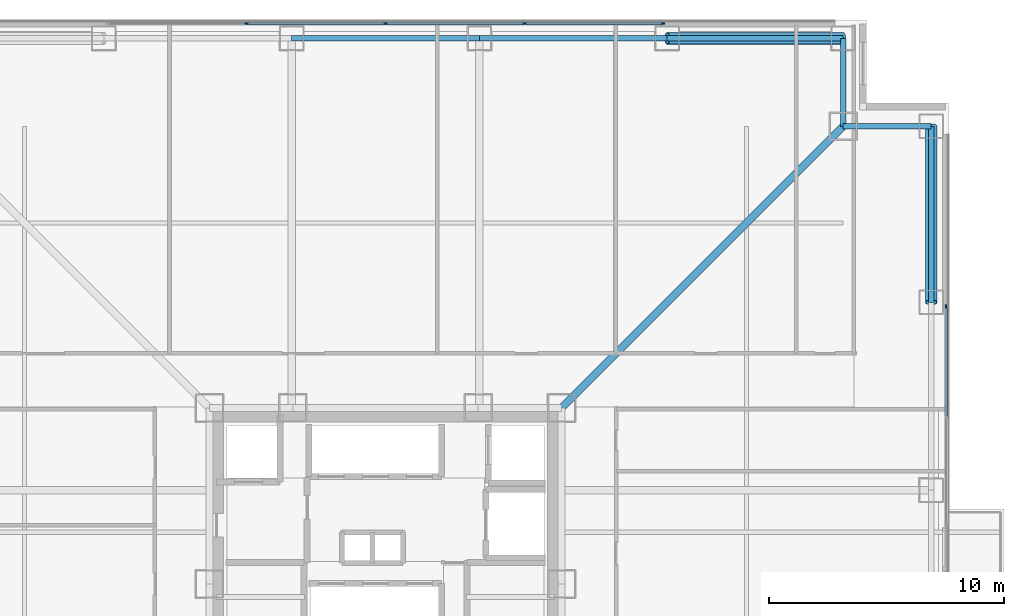
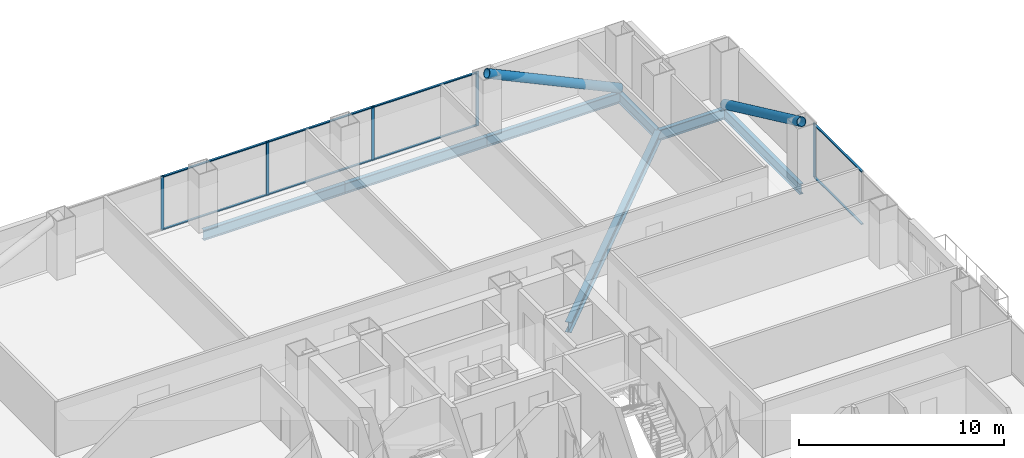
# One storey, part 13 of 20: 15 members, 7 beams, 2 elements without a shape of their own.
"""IFC4 building model written with IfcOpenShell, lengths in metres."""

from ifc_helpers import new_model, si_unit, direction, frame, origin, origin_2d, place, context, subcontext, project, spatial, rectangle, hollow_circle, i_section, extrude, material, layer, layer_set, material_profile, profile_set, type_object, element, aggregate, save


model = new_model("IFC4")

# Units and contexts
model_context = context("Model", 3, precision=1e-05, world=origin(), true_north=direction((0.0, 1.0)))
body_context = subcontext(model_context, "Body", "Model", "MODEL_VIEW")
ifc_project = project(units=[si_unit("LENGTHUNIT", "METRE"), si_unit("AREAUNIT", "SQUARE_METRE"), si_unit("VOLUMEUNIT", "CUBIC_METRE"), si_unit("PLANEANGLEUNIT", "RADIAN"), si_unit("MASSUNIT", "GRAM", prefix="KILO")], contexts=[model_context])

# Site, building, storey
site_placement = place(None, origin())
site = spatial("IfcSite", under=ifc_project, at=site_placement, CompositionType="ELEMENT")
building_placement = place(site_placement, origin())
building = spatial("IfcBuilding", under=site, at=building_placement, Name="Trevonay Congress Spire", CompositionType="ELEMENT")
storey_placement = place(building_placement, frame((0.0, 0.0, 76.0)))
storey = spatial("IfcBuildingStorey", under=building, at=storey_placement, Name="L19", CompositionType="ELEMENT", Elevation=76.0)

# Beams
ifc_material_1 = material(Name="Steel ASTM A572 Grade 50", Category="steel")
ifc_material_profile_1 = material_profile(ifc_material_1, i_section(OverallWidth=0.324951171875, OverallDepth=0.615966796875, WebThickness=0.013916015625, FlangeThickness=0.021484375, FilletRadius=0.01806640625, at=origin_2d()), Name="W610x174")
ifc_profile_set_1 = profile_set([ifc_material_profile_1], Name="Steel ASTM A572 Grade 50")
beam_type_1 = type_object("IfcBeamType", Name="BM-GIRD-W610X174", PredefinedType="BEAM", material=ifc_profile_set_1)
beam_placement = place(storey_placement, frame((7.5, 7.5, -0.55810546875), z_axis=(0.707106781187, 0.707106781187, 0.0), x_axis=(-0.707106781187, 0.707106781187, 0.0)))
element("IfcBeam", 1, at=beam_placement, inside=storey, type_object=beam_type_1, Name="L19 structural beam BM-L19-CDNE", PredefinedType="BEAM", context=body_context, shape_type="SweptSolid", body=[
    extrude(i_section(OverallWidth=0.324951171875, OverallDepth=0.615966796875, WebThickness=0.013916015625, FlangeThickness=0.021484375, FilletRadius=0.01806640625, at=origin_2d()), origin(), (0.0, 0.0, 1.0), 16.970458984375),
])
ifc_material_profile_2 = material_profile(ifc_material_1, i_section(OverallWidth=0.22998046875, OverallDepth=0.616943359375, WebThickness=0.01318359375, FlangeThickness=0.022216796875, FilletRadius=0.01611328125, at=origin_2d()), Name="W610x140")
ifc_profile_set_2 = profile_set([ifc_material_profile_2], Name="Steel ASTM A572 Grade 50")
beam_type_2 = type_object("IfcBeamType", Name="BM-RING-W610X140", PredefinedType="BEAM", material=ifc_profile_set_2)
for number, where, z_axis, x_axis, name in (
    (2, (-4.0, 23.25, -0.55859375), (1.0, 0.0, 0.0), (0.0, 1.0, 0.0), "L19 structural beam BM-L19-PN3"),
    (3, (4.0, 23.25, -0.55859375), (1.0, 0.0, 0.0), (0.0, 1.0, 0.0), "L19 structural beam BM-L19-PN4"),
):
    element("IfcBeam", number, at=place(storey_placement, frame(where, z_axis=z_axis, x_axis=x_axis)), inside=storey, type_object=beam_type_2, Name=name, PredefinedType="BEAM", context=body_context, shape_type="SweptSolid", body=[
        extrude(i_section(OverallWidth=0.22998046875, OverallDepth=0.616943359375, WebThickness=0.01318359375, FlangeThickness=0.022216796875, FilletRadius=0.01611328125, at=origin_2d()), origin(), (0.0, 0.0, 1.0), 8.0),
    ])
for number, where, z_axis, x_axis, name in (
    (4, (12.0, 23.25, -0.55859375), (1.0, 0.0, 0.0), (0.0, 1.0, 0.0), "L19 structural beam BM-L19-PN5"),
    (5, (23.25, 12.0, -0.55859375), (0.0, 1.0, 0.0), (-1.0, 0.0, 0.0), "L19 structural beam BM-L19-PE5"),
):
    element("IfcBeam", number, at=place(storey_placement, frame(where, z_axis=z_axis, x_axis=x_axis)), inside=storey, type_object=beam_type_2, Name=name, PredefinedType="BEAM", context=body_context, shape_type="SweptSolid", body=[
        extrude(i_section(OverallWidth=0.22998046875, OverallDepth=0.616943359375, WebThickness=0.01318359375, FlangeThickness=0.022216796875, FilletRadius=0.01611328125, at=origin_2d()), origin(), (0.0, 0.0, 1.0), 7.5),
    ])
for number, where, z_axis, x_axis, name in (
    (6, (19.5, 23.25, -0.55859375), (0.0, -1.0, 0.0), (1.0, 0.0, 0.0), "L19 structural beam BM-L19-N1NE"),
    (7, (23.25, 19.5, -0.55859375), (-1.0, 0.0, 0.0), (0.0, -1.0, 0.0), "L19 structural beam BM-L19-N2NE"),
):
    element("IfcBeam", number, at=place(storey_placement, frame(where, z_axis=z_axis, x_axis=x_axis)), inside=storey, type_object=beam_type_2, Name=name, PredefinedType="BEAM", context=body_context, shape_type="SweptSolid", body=[
        extrude(i_section(OverallWidth=0.22998046875, OverallDepth=0.616943359375, WebThickness=0.01318359375, FlangeThickness=0.022216796875, FilletRadius=0.01611328125, at=origin_2d()), origin(), (0.0, 0.0, 1.0), 3.75),
    ])

# Curtain wall, members
ifc_material_2 = material(Name="Pale Anodised Aluminium EN AW-6063-T6", Category="aluminium")
ifc_layer = layer(ifc_material_2, 0.179931640625, Name="Pale Anodised Aluminium EN AW-6063-T6")
ifc_layer_set = layer_set([ifc_layer], Name="Pale Anodised Aluminium EN AW-6063-T6")
curtain_wall_type = type_object("IfcCurtainWallType", Name="CW-SYS02-HOTEL-PALE-METAL", PredefinedType="NOTDEFINED", material=ifc_layer_set)
curtain_wall_1_placement = place(storey_placement, origin())
curtain_wall_1 = element("IfcCurtainWall", 8, at=curtain_wall_1_placement, inside=storey, type_object=curtain_wall_type, Name="L19 N unitised curtain wall", PredefinedType="NOTDEFINED")
ifc_material_profile_3 = material_profile(ifc_material_2, rectangle(XDim=0.06005859375, YDim=0.159912109375, at=origin_2d()), Name="CW-MULLION-160-ALUMINIUM")
ifc_profile_set_3 = profile_set([ifc_material_profile_3], Name="Pale Anodised Aluminium EN AW-6063-T6")
member_type_1 = type_object("IfcMemberType", Name="CW-MULLION-160-ALUMINIUM", PredefinedType="MULLION", material=ifc_profile_set_3)
member_1_placement = place(storey_placement, frame((-5.925048828125, 23.8798828125, 0.0), z_axis=(0.0, 0.0, 1.0), x_axis=(0.0, 1.0, 0.0)))
member_1 = element("IfcMember", 9, at=member_1_placement, type_object=member_type_1, Name="CW02 mullion 2", PredefinedType="MULLION", context=body_context, shape_type="SweptSolid", body=[
    extrude(rectangle(XDim=0.06005859375, YDim=0.159912109375, at=origin_2d()), origin(), (0.0, 0.0, 1.0), 3.25),
])
member_2_placement = place(storey_placement, frame((0.0, 23.8798828125, 0.0), z_axis=(0.0, 0.0, 1.0), x_axis=(0.0, 1.0, 0.0)))
member_2 = element("IfcMember", 10, at=member_2_placement, type_object=member_type_1, Name="CW02 mullion 3", PredefinedType="MULLION", context=body_context, shape_type="SweptSolid", body=[
    extrude(rectangle(XDim=0.06005859375, YDim=0.159912109375, at=origin_2d()), origin(), (0.0, 0.0, 1.0), 3.25),
])
member_3_placement = place(storey_placement, frame((5.925048828125, 23.8798828125, 0.0), z_axis=(0.0, 0.0, 1.0), x_axis=(0.0, 1.0, 0.0)))
member_3 = element("IfcMember", 11, at=member_3_placement, type_object=member_type_1, Name="CW02 mullion 4", PredefinedType="MULLION", context=body_context, shape_type="SweptSolid", body=[
    extrude(rectangle(XDim=0.06005859375, YDim=0.159912109375, at=origin_2d()), origin(), (0.0, 0.0, 1.0), 3.25),
])
member_4_placement = place(storey_placement, frame((11.820068359375, 23.8798828125, 0.0), z_axis=(0.0, 0.0, 1.0), x_axis=(0.0, 1.0, 0.0)))
member_4 = element("IfcMember", 12, at=member_4_placement, type_object=member_type_1, Name="CW02 mullion 5", PredefinedType="MULLION", context=body_context, shape_type="SweptSolid", body=[
    extrude(rectangle(XDim=0.06005859375, YDim=0.159912109375, at=origin_2d()), origin(), (0.0, 0.0, 1.0), 3.25),
])

# Curtain wall, member
curtain_wall_2_placement = place(storey_placement, origin())
curtain_wall_2 = element("IfcCurtainWall", 13, at=curtain_wall_2_placement, inside=storey, type_object=curtain_wall_type, Name="L19 EB unitised curtain wall", PredefinedType="NOTDEFINED")
member_5_placement = place(storey_placement, frame((23.8798828125, 11.820068359375, 0.0), z_axis=(0.0, 0.0, 1.0), x_axis=(-1.0, 0.0, 0.0)))
member_5 = element("IfcMember", 14, at=member_5_placement, type_object=member_type_1, Name="CW02 mullion 3", PredefinedType="MULLION", context=body_context, shape_type="SweptSolid", body=[
    extrude(rectangle(XDim=0.06005859375, YDim=0.159912109375, at=origin_2d()), origin(), (0.0, 0.0, 1.0), 3.25),
])

# Member
ifc_material_profile_4 = material_profile(ifc_material_2, rectangle(XDim=0.1201171875, YDim=0.06005859375, at=origin_2d()), Name="CW-TRANSOM-120-ALUMINIUM")
ifc_profile_set_4 = profile_set([ifc_material_profile_4], Name="Pale Anodised Aluminium EN AW-6063-T6")
member_type_2 = type_object("IfcMemberType", Name="CW-TRANSOM-120-ALUMINIUM", PredefinedType="USERDEFINED", material=ifc_profile_set_4)
member_6_placement = place(storey_placement, frame((-5.89501953125, 23.8798828125, 0.06005859375), z_axis=(1.0, 0.0, 0.0), x_axis=(0.0, 1.0, 0.0)))
member_6 = element("IfcMember", 15, at=member_6_placement, type_object=member_type_2, Name="CW02 transom 2.1", ObjectType="TRANSOM", PredefinedType="USERDEFINED", context=body_context, shape_type="SweptSolid", body=[
    extrude(rectangle(XDim=0.1201171875, YDim=0.06005859375, at=origin_2d()), origin(), (0.0, 0.0, 1.0), 5.864990234375),
])

member_7_placement = place(storey_placement, frame((-5.89501953125, 23.8798828125, 3.18994140625), z_axis=(1.0, 0.0, 0.0), x_axis=(0.0, 1.0, 0.0)))
member_7 = element("IfcMember", 16, at=member_7_placement, type_object=member_type_2, Name="CW02 transom 2.2", ObjectType="TRANSOM", PredefinedType="USERDEFINED", context=body_context, shape_type="SweptSolid", body=[
    extrude(rectangle(XDim=0.1201171875, YDim=0.06005859375, at=origin_2d()), origin(), (0.0, 0.0, 1.0), 5.864990234375),
])

member_8_placement = place(storey_placement, frame((0.030029296875, 23.8798828125, 0.06005859375), z_axis=(1.0, 0.0, 0.0), x_axis=(0.0, 1.0, 0.0)))
member_8 = element("IfcMember", 17, at=member_8_placement, type_object=member_type_2, Name="CW02 transom 3.1", ObjectType="TRANSOM", PredefinedType="USERDEFINED", context=body_context, shape_type="SweptSolid", body=[
    extrude(rectangle(XDim=0.1201171875, YDim=0.06005859375, at=origin_2d()), origin(), (0.0, 0.0, 1.0), 5.864990234375),
])

member_9_placement = place(storey_placement, frame((0.030029296875, 23.8798828125, 3.18994140625), z_axis=(1.0, 0.0, 0.0), x_axis=(0.0, 1.0, 0.0)))
member_9 = element("IfcMember", 18, at=member_9_placement, type_object=member_type_2, Name="CW02 transom 3.2", ObjectType="TRANSOM", PredefinedType="USERDEFINED", context=body_context, shape_type="SweptSolid", body=[
    extrude(rectangle(XDim=0.1201171875, YDim=0.06005859375, at=origin_2d()), origin(), (0.0, 0.0, 1.0), 5.864990234375),
])

member_10_placement = place(storey_placement, frame((5.955078125, 23.8798828125, 0.06005859375), z_axis=(1.0, 0.0, 0.0), x_axis=(0.0, 1.0, 0.0)))
member_10 = element("IfcMember", 19, at=member_10_placement, type_object=member_type_2, Name="CW02 transom 4.1", ObjectType="TRANSOM", PredefinedType="USERDEFINED", context=body_context, shape_type="SweptSolid", body=[
    extrude(rectangle(XDim=0.1201171875, YDim=0.06005859375, at=origin_2d()), origin(), (0.0, 0.0, 1.0), 5.8349609375),
])

member_11_placement = place(storey_placement, frame((5.955078125, 23.8798828125, 3.18994140625), z_axis=(1.0, 0.0, 0.0), x_axis=(0.0, 1.0, 0.0)))
member_11 = element("IfcMember", 20, at=member_11_placement, type_object=member_type_2, Name="CW02 transom 4.2", ObjectType="TRANSOM", PredefinedType="USERDEFINED", context=body_context, shape_type="SweptSolid", body=[
    extrude(rectangle(XDim=0.1201171875, YDim=0.06005859375, at=origin_2d()), origin(), (0.0, 0.0, 1.0), 5.8349609375),
])

aggregate(curtain_wall_1, [member_1, member_2, member_3, member_4, member_6, member_7, member_8, member_9, member_10, member_11])

member_12_placement = place(storey_placement, frame((23.8798828125, 7.155029296875, 0.06005859375), z_axis=(0.0, 1.0, 0.0), x_axis=(-1.0, 0.0, 0.0)))
member_12 = element("IfcMember", 21, at=member_12_placement, type_object=member_type_2, Name="CW02 transom 2.1", ObjectType="TRANSOM", PredefinedType="USERDEFINED", context=body_context, shape_type="SweptSolid", body=[
    extrude(rectangle(XDim=0.1201171875, YDim=0.06005859375, at=origin_2d()), origin(), (0.0, 0.0, 1.0), 4.635009765625),
])

member_13_placement = place(storey_placement, frame((23.8798828125, 7.155029296875, 3.18994140625), z_axis=(0.0, 1.0, 0.0), x_axis=(-1.0, 0.0, 0.0)))
member_13 = element("IfcMember", 22, at=member_13_placement, type_object=member_type_2, Name="CW02 transom 2.2", ObjectType="TRANSOM", PredefinedType="USERDEFINED", context=body_context, shape_type="SweptSolid", body=[
    extrude(rectangle(XDim=0.1201171875, YDim=0.06005859375, at=origin_2d()), origin(), (0.0, 0.0, 1.0), 4.635009765625),
])

aggregate(curtain_wall_2, [member_5, member_12, member_13])

# Members
ifc_material_profile_5 = material_profile(ifc_material_1, hollow_circle(Radius=0.25390625, WallThickness=0.02490234375, at=origin_2d()), Name="CHS 508x25")
ifc_profile_set_5 = profile_set([ifc_material_profile_5], Name="Steel ASTM A572 Grade 50")
member_type_3 = type_object("IfcMemberType", Name="MBR-TUBE-CHS508", PredefinedType="BRACE", material=ifc_profile_set_5)
for number, where, z_axis, x_axis, name in (
    (23, (19.5, 23.25, -0.050048828125), (-0.906183139995, 0.0, 0.422885465331), (0.0, -1.0, 0.0), "L19 perimeter braced-tube diagonal N4"),
    (24, (23.25, 19.5, -0.050048828125), (0.0, -0.906183139995, 0.422885465331), (1.0, 0.0, 0.0), "L19 perimeter braced-tube diagonal E4"),
):
    element("IfcMember", number, at=place(storey_placement, frame(where, z_axis=z_axis, x_axis=x_axis)), inside=storey, type_object=member_type_3, Name=name, PredefinedType="BRACE", context=body_context, shape_type="SweptSolid", body=[
        extrude(hollow_circle(Radius=0.25390625, WallThickness=0.02490234375, at=origin_2d()), origin(), (0.0, 0.0, 1.0), 8.2763671875),
    ])

save(model, "model.ifc")
